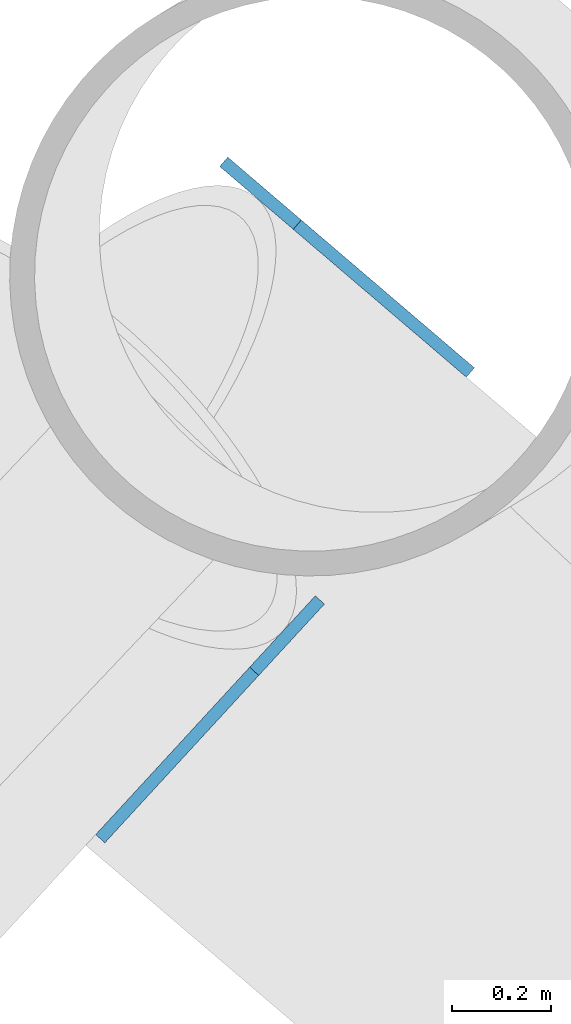
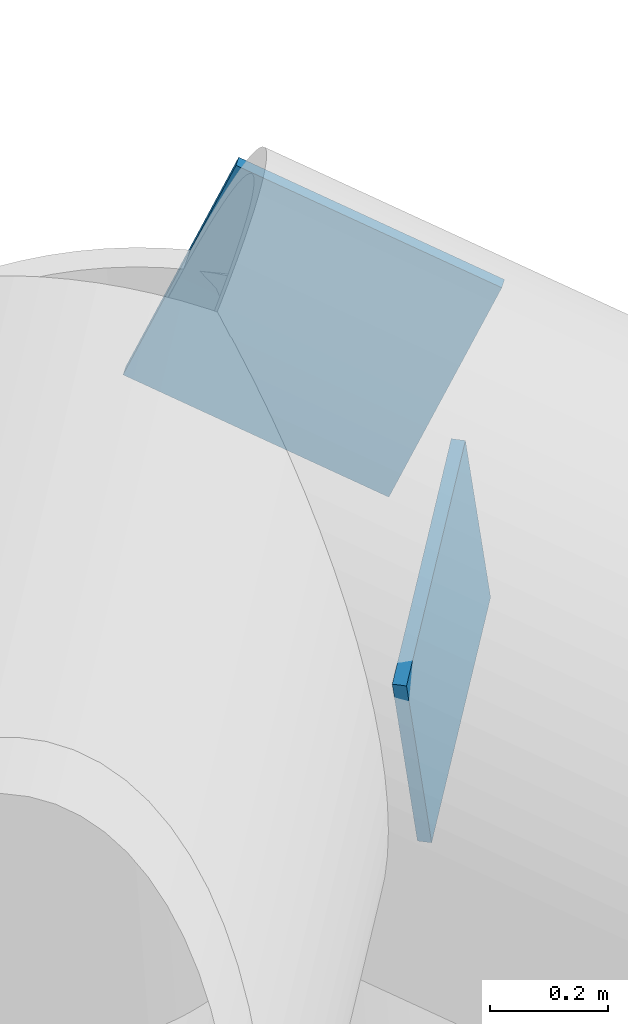
# One storey, part 28 of 39: 2 discrete accessories.
"""IFC4 building model written with IfcOpenShell, lengths in metres."""

from ifc_helpers import new_model, si_unit, direction, frame, origin, origin_2d, place, context, subcontext, project, spatial, rectangle, extrude, material, material_profile, profile_set, type_object, element, save


model = new_model("IFC4")

# Units and contexts
model_context = context("Model", 3, precision=1e-05, world=origin(), true_north=direction((0.0, 1.0)))
body_context = subcontext(model_context, "Body", "Model", "MODEL_VIEW")
ifc_project = project(units=[si_unit("LENGTHUNIT", "METRE"), si_unit("AREAUNIT", "SQUARE_METRE"), si_unit("VOLUMEUNIT", "CUBIC_METRE"), si_unit("PLANEANGLEUNIT", "RADIAN"), si_unit("MASSUNIT", "GRAM", prefix="KILO")], contexts=[model_context])

# Site, building, storey
site_placement = place(None, origin())
site = spatial("IfcSite", under=ifc_project, at=site_placement, CompositionType="ELEMENT")
building_placement = place(site_placement, origin())
building = spatial("IfcBuilding", under=site, at=building_placement, Name="Tarsis Ring Headquarters", CompositionType="ELEMENT")
storey_placement = place(building_placement, frame((0.0, 0.0, 86.800048828125)))
storey = spatial("IfcBuildingStorey", under=building, at=storey_placement, Name="L19", CompositionType="ELEMENT", Elevation=86.800048828125)

# Discrete accessories
ifc_material = material(Name="Structural steel S355", Category="steel")
ifc_material_profile = material_profile(ifc_material, rectangle(XDim=0.02490234375, YDim=0.5, at=origin_2d()), Name="PL 25x500")
ifc_profile_set = profile_set([ifc_material_profile], Name="Structural steel S355")
discrete_accessory_type = type_object("IfcDiscreteAccessoryType", Name="Gusset plate Belt truss 25", PredefinedType="BRACKET", material=ifc_profile_set)
discrete_accessory_1_placement = place(storey_placement, frame((-28.41162109375, 47.12646484375, 6.0), z_axis=(0.699793628542, -0.597730217261, -0.391161686296), x_axis=(0.649479458687, 0.760379137499, 0.0)))
element("IfcDiscreteAccessory", 1, at=discrete_accessory_1_placement, inside=storey, type_object=discrete_accessory_type, Name="Gusset plate GP4", PredefinedType="BRACKET", context=body_context, shape_type="SweptSolid", body=[
    extrude(rectangle(XDim=0.02490234375, YDim=0.5, at=origin_2d()), origin(), (0.0, 0.0, 1.0), 0.5),
])
discrete_accessory_2_placement = place(storey_placement, frame((-28.35791015625, 46.232177734375, 6.0), z_axis=(-0.622771996669, -0.676989794026, -0.392224245745), x_axis=(0.73596276038, -0.67702201983, 0.0)))
element("IfcDiscreteAccessory", 2, at=discrete_accessory_2_placement, inside=storey, type_object=discrete_accessory_type, Name="Gusset plate GP4", PredefinedType="BRACKET", context=body_context, shape_type="SweptSolid", body=[
    extrude(rectangle(XDim=0.02490234375, YDim=0.5, at=origin_2d()), origin(), (0.0, 0.0, 1.0), 0.499755859375),
])

save(model, "model.ifc")
